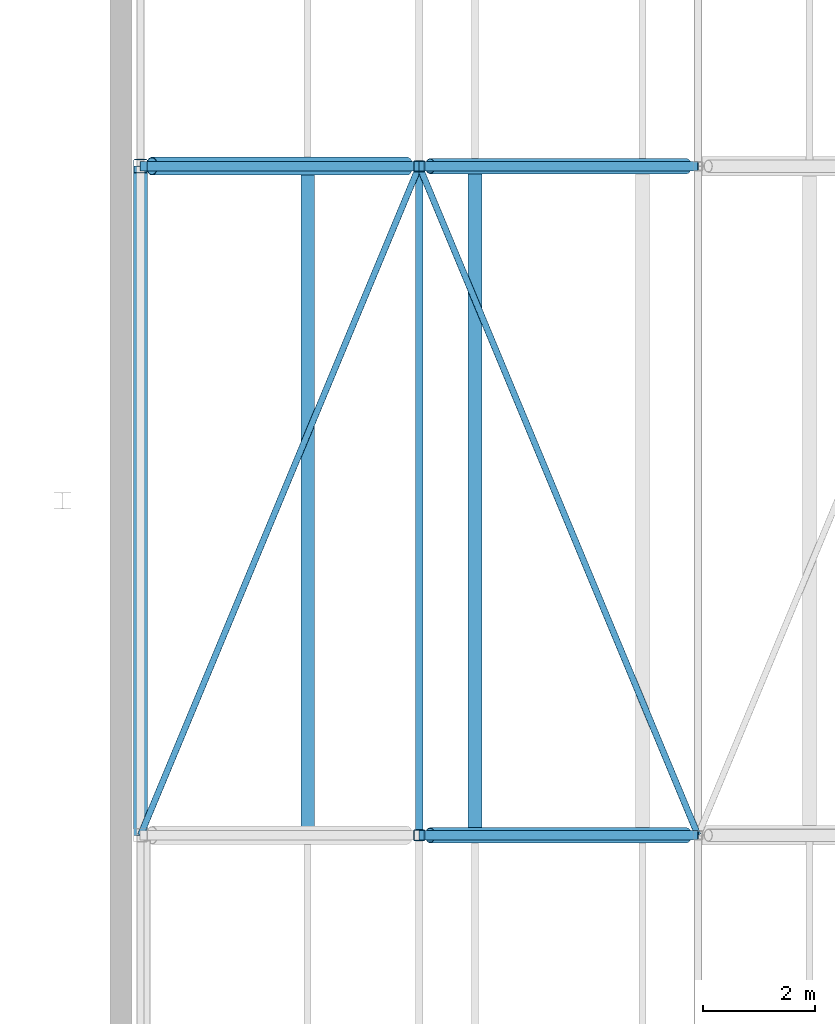
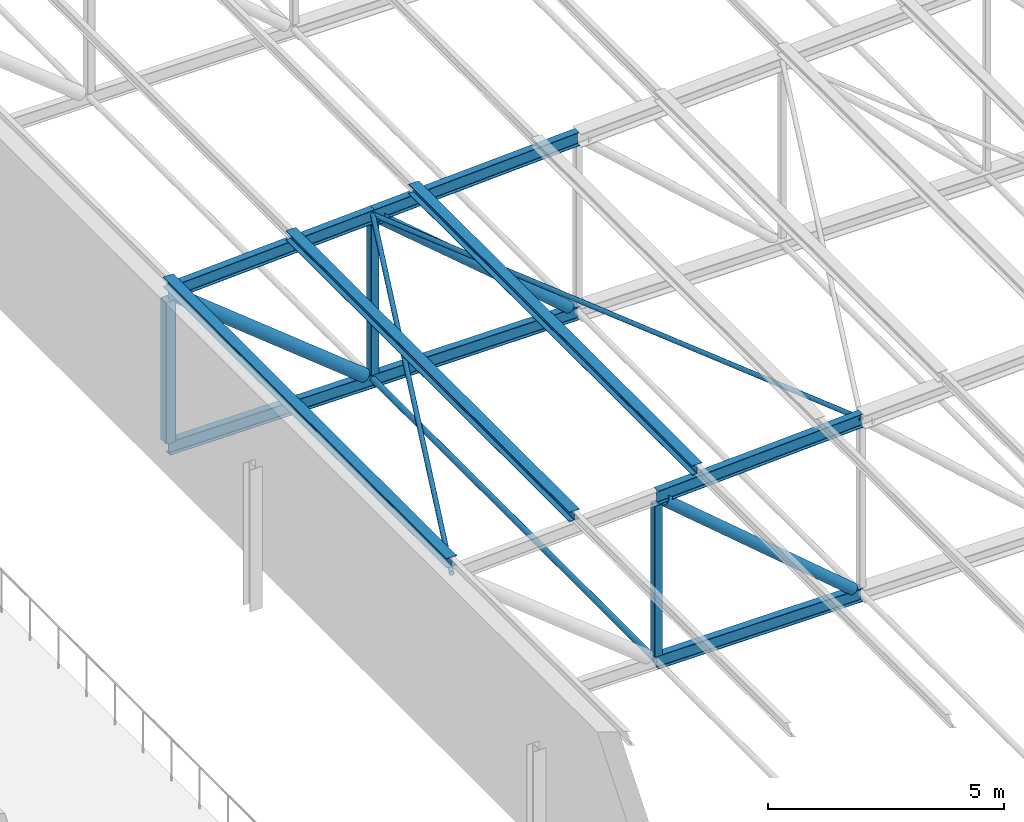
# One storey, part 27 of 156: 18 members.
"""IFC4 building model written with IfcOpenShell, lengths in metres."""

from ifc_helpers import new_model, si_unit, direction, frame, origin, origin_2d, place, context, subcontext, project, spatial, hollow_rectangle, hollow_circle, i_section, extrude, material, material_profile, profile_set, type_object, element, save


model = new_model("IFC4")

# Units and contexts
model_context = context("Model", 3, precision=1e-05, world=origin(), true_north=direction((0.0, 1.0)))
body_context = subcontext(model_context, "Body", "Model", "MODEL_VIEW")
ifc_project = project(units=[si_unit("LENGTHUNIT", "METRE"), si_unit("AREAUNIT", "SQUARE_METRE"), si_unit("VOLUMEUNIT", "CUBIC_METRE"), si_unit("PLANEANGLEUNIT", "RADIAN"), si_unit("MASSUNIT", "GRAM", prefix="KILO")], contexts=[model_context])

# Site, building, storey
site_placement = place(None, origin())
site = spatial("IfcSite", under=ifc_project, at=site_placement, CompositionType="ELEMENT")
building_placement = place(site_placement, origin())
building = spatial("IfcBuilding", under=site, at=building_placement, Name="Lilac Gate Convention Centre", CompositionType="ELEMENT")
storey_placement = place(building_placement, frame((0.0, 0.0, 17.0)))
storey = spatial("IfcBuildingStorey", under=building, at=storey_placement, Name="L03", CompositionType="ELEMENT", Elevation=17.0)

# Members
ifc_material = material(Name="Steel Q355B", Category="steel")
ifc_material_profile_1 = material_profile(ifc_material, hollow_circle(Radius=0.06982421875, WallThickness=0.0048828125, at=origin_2d()), Name="CHS139.7x5")
ifc_profile_set_1 = profile_set([ifc_material_profile_1], Name="Steel Q355B")
member_type_1 = type_object("IfcMemberType", Name="Bottom chord tie CHS139.7x5", PredefinedType="STRUT", material=ifc_profile_set_1)
member_1_placement = place(storey_placement, frame((35.0, 78.00341796875, 0.0), z_axis=(0.0, 1.0, 0.0), x_axis=(-1.0, 0.0, 0.0)))
element("IfcMember", 1, at=member_1_placement, inside=storey, type_object=member_type_1, Name="ST1 tie bay 5 node 2", PredefinedType="STRUT", context=body_context, shape_type="SweptSolid", body=[
    extrude(hollow_circle(Radius=0.06982421875, WallThickness=0.0048828125, at=origin_2d()), origin(), (0.0, 0.0, 1.0), 11.9931640625),
])
ifc_material_profile_2 = material_profile(ifc_material, hollow_circle(Radius=0.05712890625, WallThickness=0.0048828125, at=origin_2d()), Name="CHS114.3x5")
ifc_profile_set_2 = profile_set([ifc_material_profile_2], Name="Steel Q355B")
member_type_2 = type_object("IfcMemberType", Name="Roof plane bracing CHS114.3x5", PredefinedType="BRACE", material=ifc_profile_set_2)
for number, where, z_axis, x_axis, name in (
    (2, (30.00146484375, 78.00341796875, 4.0), (0.384538867181, 0.922908311091, 0.019238215751), (-0.923079146825, 0.384610047578, 0.0), "BR1 plan bracing bay 5 panel 1"),
    (3, (35.00146484375, 89.99658203125, 4.25), (0.384538867181, -0.922908311091, 0.019238215751), (0.923079146825, 0.384610047578, 0.0), "BR1 plan bracing bay 5 panel 2"),
):
    element("IfcMember", number, at=place(storey_placement, frame(where, z_axis=z_axis, x_axis=x_axis)), inside=storey, type_object=member_type_2, Name=name, PredefinedType="BRACE", context=body_context, shape_type="SweptSolid", body=[
        extrude(hollow_circle(Radius=0.05712890625, WallThickness=0.0048828125, at=origin_2d()), origin(), (0.0, 0.0, 1.0), 12.994873046875),
    ])
ifc_material_profile_3 = material_profile(ifc_material, i_section(OverallWidth=0.25, OverallDepth=0.25, WebThickness=0.009033203125, FlangeThickness=0.013916015625, FilletRadius=0.012939453125, at=origin_2d()), Name="HW250x250x9x14")
ifc_profile_set_3 = profile_set([ifc_material_profile_3], Name="Steel Q355B")
member_type_3 = type_object("IfcMemberType", Name="Roof purlin HW250x250x9x14", PredefinedType="PURLIN", material=ifc_profile_set_3)
for number, where, z_axis, x_axis, name in (
    (4, (30.0, 78.0, 4.30029296875), (0.0, 1.0, 0.0), (-1.0, 0.0, 0.0), "PU1 purlin bay 5 line 1"),
    (5, (33.0, 78.0, 4.4501953125), (0.0, 1.0, 0.0), (-1.0, 0.0, 0.0), "PU1 purlin bay 5 line 2"),
    (6, (36.0, 78.0, 4.60009765625), (0.0, 1.0, 0.0), (-1.0, 0.0, 0.0), "PU1 purlin bay 5 line 3"),
):
    element("IfcMember", number, at=place(storey_placement, frame(where, z_axis=z_axis, x_axis=x_axis)), inside=storey, type_object=member_type_3, Name=name, PredefinedType="PURLIN", context=body_context, shape_type="SweptSolid", body=[
        extrude(i_section(OverallWidth=0.25, OverallDepth=0.25, WebThickness=0.009033203125, FlangeThickness=0.013916015625, FilletRadius=0.012939453125, at=origin_2d()), origin(), (0.0, 0.0, 1.0), 12.0),
    ])
ifc_material_profile_4 = material_profile(ifc_material, i_section(OverallWidth=0.175048828125, OverallDepth=0.35009765625, WebThickness=0.007080078125, FlangeThickness=0.010986328125, FilletRadius=0.012939453125, at=origin_2d()), Name="HN350x175x7x11")
ifc_profile_set_4 = profile_set([ifc_material_profile_4], Name="Steel Q355B")
member_type_4 = type_object("IfcMemberType", Name="Truss bottom chord HN350x175x7x11", PredefinedType="CHORD", material=ifc_profile_set_4)
for number, where, z_axis, x_axis, name in (
    (7, (35.0, 78.0, 0.0), (1.0, 0.0, 0.0), (0.0, 1.0, 0.0), "TB1 truss 5 bottom chord 2"),
    (8, (30.0, 90.0, 0.0), (1.0, 0.0, 0.0), (0.0, 1.0, 0.0), "TB1 truss 6 bottom chord 1"),
    (9, (35.0, 90.0, 0.0), (1.0, 0.0, 0.0), (0.0, 1.0, 0.0), "TB1 truss 6 bottom chord 2"),
):
    element("IfcMember", number, at=place(storey_placement, frame(where, z_axis=z_axis, x_axis=x_axis)), inside=storey, type_object=member_type_4, Name=name, PredefinedType="CHORD", context=body_context, shape_type="SweptSolid", body=[
        extrude(i_section(OverallWidth=0.175048828125, OverallDepth=0.35009765625, WebThickness=0.007080078125, FlangeThickness=0.010986328125, FilletRadius=0.012939453125, at=origin_2d()), origin(), (0.0, 0.0, 1.0), 5.0),
    ])
ifc_material_profile_5 = material_profile(ifc_material, hollow_circle(Radius=0.136474609375, WallThickness=0.010009765625, at=origin_2d()), Name="CHS273x10")
ifc_profile_set_5 = profile_set([ifc_material_profile_5], Name="Steel Q355B")
member_type_5 = type_object("IfcMemberType", Name="Truss diagonal CHS273x10", PredefinedType="BRACE", material=ifc_profile_set_5)
for number, where, z_axis, x_axis, name in (
    (10, (35.193115234375, 78.0, 4.085693359375), (0.761961263863, 0.0, -0.647622600263), (0.0, 1.0, 0.0), "TW2 truss 5 diagonal 2"),
    (11, (35.193115234375, 90.0, 4.085693359375), (0.761961263863, 0.0, -0.647622600263), (0.0, 1.0, 0.0), "TW2 truss 6 diagonal 2"),
):
    element("IfcMember", number, at=place(storey_placement, frame(where, z_axis=z_axis, x_axis=x_axis)), inside=storey, type_object=member_type_5, Name=name, PredefinedType="BRACE", context=body_context, shape_type="SweptSolid", body=[
        extrude(hollow_circle(Radius=0.136474609375, WallThickness=0.010009765625, at=origin_2d()), origin(), (0.0, 0.0, 1.0), 6.03857421875),
    ])
ifc_material_profile_6 = material_profile(ifc_material, hollow_circle(Radius=0.161865234375, WallThickness=0.011962890625, at=origin_2d()), Name="CHS323.9x12")
ifc_profile_set_6 = profile_set([ifc_material_profile_6], Name="Steel Q355B")
member_type_6 = type_object("IfcMemberType", Name="Truss diagonal CHS323.9x12", PredefinedType="BRACE", material=ifc_profile_set_6)
member_2_placement = place(storey_placement, frame((30.205322265625, 90.0, 3.835693359375), z_axis=(0.780876938611, 0.0, -0.624684885959), x_axis=(0.0, 1.0, 0.0)))
element("IfcMember", 12, at=member_2_placement, inside=storey, type_object=member_type_6, Name="TW1 truss 6 diagonal 1", PredefinedType="BRACE", context=body_context, shape_type="SweptSolid", body=[
    extrude(hollow_circle(Radius=0.161865234375, WallThickness=0.011962890625, at=origin_2d()), origin(), (0.0, 0.0, 1.0), 5.860107421875),
])
ifc_material_profile_7 = material_profile(ifc_material, i_section(OverallWidth=0.175048828125, OverallDepth=0.35009765625, WebThickness=0.007080078125, FlangeThickness=0.010986328125, FilletRadius=0.012939453125, at=origin_2d()), Name="HN350x175x7x11")
ifc_profile_set_7 = profile_set([ifc_material_profile_7], Name="Steel Q355B")
member_type_7 = type_object("IfcMemberType", Name="Truss top chord HN350x175x7x11", PredefinedType="CHORD", material=ifc_profile_set_7)
for number, where, z_axis, x_axis, name in (
    (13, (35.0, 78.0, 4.25), (0.998752338878, 0.0, 0.049937616944), (0.0, 1.0, 0.0), "TT1 truss 5 top chord 2"),
    (14, (30.0, 90.0, 4.0), (0.998752338878, 0.0, 0.049937616944), (0.0, 1.0, 0.0), "TT1 truss 6 top chord 1"),
    (15, (35.0, 90.0, 4.25), (0.998752338878, 0.0, 0.049937616944), (0.0, 1.0, 0.0), "TT1 truss 6 top chord 2"),
):
    element("IfcMember", number, at=place(storey_placement, frame(where, z_axis=z_axis, x_axis=x_axis)), inside=storey, type_object=member_type_7, Name=name, PredefinedType="CHORD", context=body_context, shape_type="SweptSolid", body=[
        extrude(i_section(OverallWidth=0.175048828125, OverallDepth=0.35009765625, WebThickness=0.007080078125, FlangeThickness=0.010986328125, FilletRadius=0.012939453125, at=origin_2d()), origin(), (0.0, 0.0, 1.0), 5.00634765625),
    ])
ifc_material_profile_8 = material_profile(ifc_material, hollow_rectangle(XDim=0.199951171875, YDim=0.199951171875, WallThickness=0.008056640625, InnerFilletRadius=0.011962890625, OuterFilletRadius=0.02001953125, at=origin_2d()), Name="SHS200x200x8")
ifc_profile_set_8 = profile_set([ifc_material_profile_8], Name="Steel Q355B")
member_type_8 = type_object("IfcMemberType", Name="Truss vertical SHS200x200x8", PredefinedType="STRUT", material=ifc_profile_set_8)
for number, where, z_axis, x_axis, name in (
    (16, (35.0, 78.0, 0.175048828125), (0.0, 0.0, 1.0), (1.0, 0.0, 0.0), "TV2 truss 5 vertical 2"),
    (17, (35.0, 90.0, 0.175048828125), (0.0, 0.0, 1.0), (1.0, 0.0, 0.0), "TV2 truss 6 vertical 2"),
):
    element("IfcMember", number, at=place(storey_placement, frame(where, z_axis=z_axis, x_axis=x_axis)), inside=storey, type_object=member_type_8, Name=name, PredefinedType="STRUT", context=body_context, shape_type="SweptSolid", body=[
        extrude(hollow_rectangle(XDim=0.199951171875, YDim=0.199951171875, WallThickness=0.008056640625, InnerFilletRadius=0.011962890625, OuterFilletRadius=0.02001953125, at=origin_2d()), origin(), (0.0, 0.0, 1.0), 3.899658203125),
    ])
ifc_material_profile_9 = material_profile(ifc_material, hollow_rectangle(XDim=0.25, YDim=0.25, WallThickness=0.010009765625, InnerFilletRadius=0.014892578125, OuterFilletRadius=0.02490234375, at=origin_2d()), Name="SHS250x250x10")
ifc_profile_set_9 = profile_set([ifc_material_profile_9], Name="Steel Q355B")
member_type_9 = type_object("IfcMemberType", Name="Truss vertical SHS250x250x10", PredefinedType="STRUT", material=ifc_profile_set_9)
member_3_placement = place(storey_placement, frame((30.0, 90.0, 0.175048828125), z_axis=(0.0, 0.0, 1.0), x_axis=(1.0, 0.0, 0.0)))
element("IfcMember", 18, at=member_3_placement, inside=storey, type_object=member_type_9, Name="TV1 truss 6 vertical 1", PredefinedType="STRUT", context=body_context, shape_type="SweptSolid", body=[
    extrude(hollow_rectangle(XDim=0.25, YDim=0.25, WallThickness=0.010009765625, InnerFilletRadius=0.014892578125, OuterFilletRadius=0.02490234375, at=origin_2d()), origin(), (0.0, 0.0, 1.0), 3.649658203125),
])

save(model, "model.ifc")
